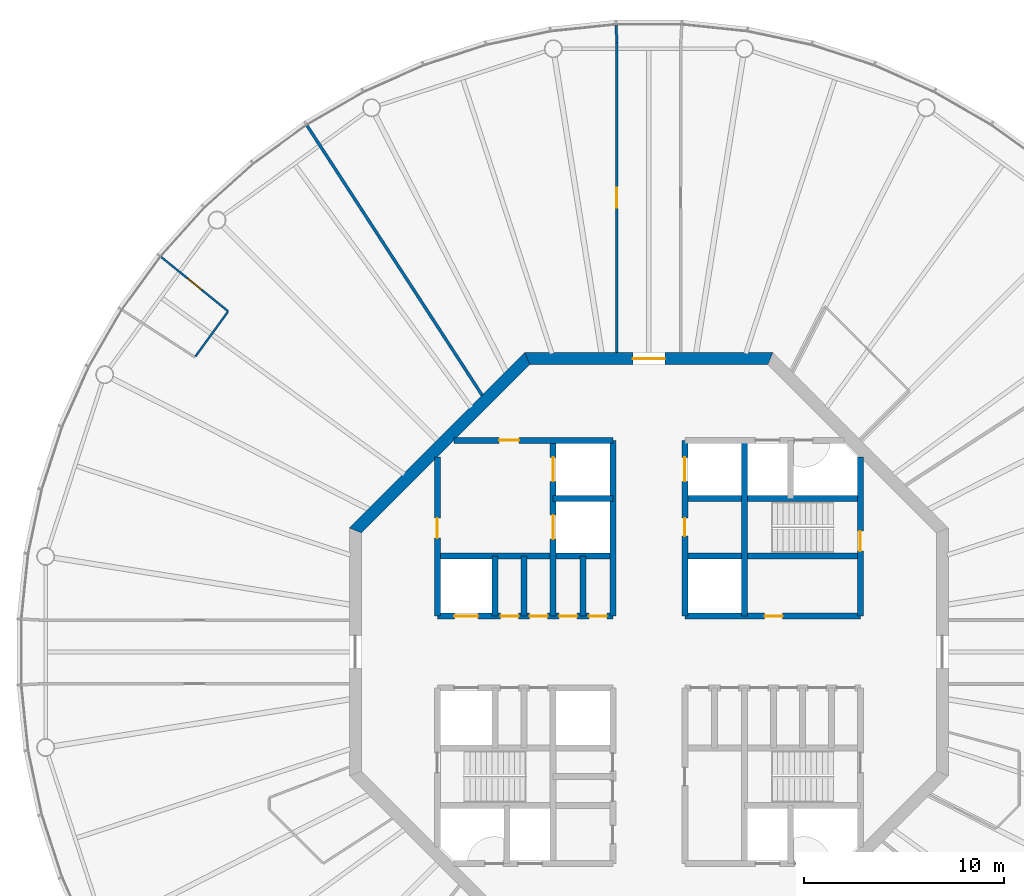
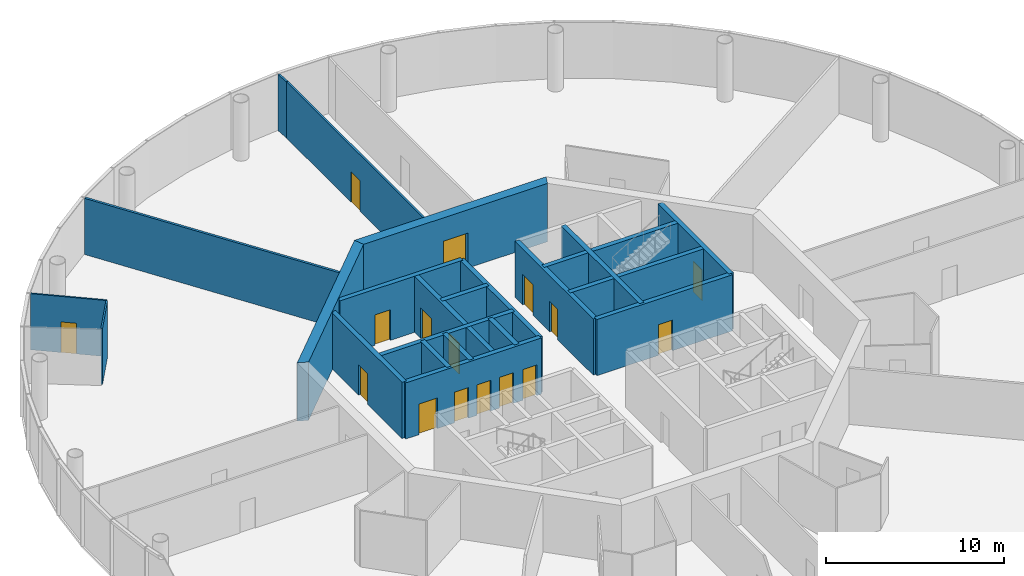
# One storey, part 5 of 13: 23 walls, 16 doors, 16 openings.
"""IFC4 building model written with IfcOpenShell, lengths in metres."""

from ifc_helpers import new_model, si_unit, direction, frame, frame_2d, origin, place, context, subcontext, project, spatial, polyline, rectangle, outline, extrude, material, layer, layer_set, type_object, element, fill, save


model = new_model("IFC4")

# Units and contexts
model_context = context("Model", 3, precision=1e-05, world=origin(), true_north=direction((0.0, 1.0)))
body_context = subcontext(model_context, "Body", "Model", "MODEL_VIEW")
ifc_project = project(units=[si_unit("LENGTHUNIT", "METRE"), si_unit("AREAUNIT", "SQUARE_METRE"), si_unit("VOLUMEUNIT", "CUBIC_METRE"), si_unit("PLANEANGLEUNIT", "RADIAN"), si_unit("MASSUNIT", "GRAM", prefix="KILO")], contexts=[model_context])

# Site, building, storey
site_placement = place(None, origin())
site = spatial("IfcSite", under=ifc_project, at=site_placement, CompositionType="ELEMENT")
building_placement = place(site_placement, origin())
building = spatial("IfcBuilding", under=site, at=building_placement, Name="Entoto Ring Tower", CompositionType="ELEMENT")
storey_placement = place(building_placement, frame((0.0, 0.0, 360.0)))
storey = spatial("IfcBuildingStorey", under=building, at=storey_placement, Name="L83", CompositionType="ELEMENT", Elevation=360.0)

# Wall, opening, door
ifc_material_1 = material(Name="Concrete C40/50", Category="concrete")
ifc_layer_1 = layer(ifc_material_1, 0.300048828125)
ifc_layer_set_1 = layer_set([ifc_layer_1], Name="Concrete C40/50")
wall_type_1 = type_object("IfcWallType", Name="Core enclosure wall 300 mm reinforced concrete", PredefinedType="SOLIDWALL", material=ifc_layer_set_1)
wall_1_placement = place(storey_placement, frame((100.60009765625, 81.800048828125, 0.0), z_axis=(0.0, 0.0, 1.0), x_axis=(0.0, 1.0, 0.0)))
wall_1 = element("IfcWall", 1, at=wall_1_placement, inside=storey, type_object=wall_type_1, Name="wall-L83-002", PredefinedType="SOLIDWALL", context=body_context, shape_type="SweptSolid", body=[
    extrude(rectangle(XDim=7.964599609375, YDim=0.300048828125, at=frame_2d((3.982421875, 0.0))), origin(), (0.0, 0.0, 1.0), 3.85009765625),
])
opening_1_placement = place(wall_1_placement, frame((3.25, 0.0, 0.0)))
opening_1 = element("IfcOpeningElement", 2, at=opening_1_placement, cuts=wall_1, Name="Opening K-29", PredefinedType="OPENING", context=body_context, shape_type="SweptSolid", body=[
    extrude(rectangle(XDim=1.0, YDim=2.10009765625, at=frame_2d((0.5, 1.050048828125))), frame((0.0, 0.16015625, 0.0), z_axis=(0.0, -1.0, 0.0), x_axis=(1.0, 0.0, 0.0)), (0.0, 0.0, 1.0), 0.320068359375),
])
ifc_material_2 = material(Name="Steel door leaf, fire rated", Category="steel")
ifc_layer_2 = layer(ifc_material_2, 0.050048828125)
ifc_layer_set_2 = layer_set([ifc_layer_2], Name="Steel door leaf, fire rated")
door_type_1 = type_object("IfcDoorType", Name="Fire door FD60 1000 x 2100 single leaf", OperationType="NOTDEFINED", PredefinedType="DOOR", material=ifc_layer_set_2)
door_1_placement = place(opening_1_placement, origin())
door_1 = element("IfcDoor", 3, at=door_1_placement, inside=storey, type_object=door_type_1, Name="Door K-29", OperationType="SINGLE_SWING_LEFT", OverallHeight=2.10009765625, OverallWidth=1.0, PredefinedType="DOOR", context=body_context, shape_type="SweptSolid", body=[
    extrude(rectangle(XDim=1.0, YDim=2.10009765625, at=frame_2d((0.5, 1.050048828125))), frame((0.0, 0.02490234375, 0.0), z_axis=(0.0, -1.0, 0.0), x_axis=(1.0, 0.0, 0.0)), (0.0, 0.0, 1.0), 0.050048828125),
])
fill(opening_1, door_1)

# Wall
wall_2_placement = place(storey_placement, frame((94.800048828125, 81.800048828125, 0.0), z_axis=(0.0, 0.0, 1.0), x_axis=(0.0, 1.0, 0.0)))
element("IfcWall", 4, at=wall_2_placement, inside=storey, type_object=wall_type_1, Name="wall-L83-009", PredefinedType="SOLIDWALL", context=body_context, shape_type="SweptSolid", body=[
    extrude(rectangle(XDim=8.800048828125, YDim=0.300048828125, at=frame_2d((4.39990234375, 0.0))), origin(), (0.0, 0.0, 1.0), 3.85009765625),
])

# Wall, openings, doors
wall_3_placement = place(storey_placement, frame((91.800048828125, 81.800048828125, 0.0), z_axis=(0.0, 0.0, 1.0), x_axis=(0.0, 1.0, 0.0)))
wall_3 = element("IfcWall", 5, at=wall_3_placement, inside=storey, type_object=wall_type_1, Name="wall-L83-012", PredefinedType="SOLIDWALL", context=body_context, shape_type="SweptSolid", body=[
    extrude(rectangle(XDim=8.800048828125, YDim=0.300048828125, at=frame_2d((4.39990234375, 0.0))), origin(), (0.0, 0.0, 1.0), 3.85009765625),
])
opening_2_placement = place(wall_3_placement, frame((6.75, 0.0, 0.0)))
opening_2 = element("IfcOpeningElement", 6, at=opening_2_placement, cuts=wall_3, Name="Opening LD", PredefinedType="OPENING", context=body_context, shape_type="SweptSolid", body=[
    extrude(rectangle(XDim=1.199951171875, YDim=2.10009765625, at=frame_2d((0.60009765625, 1.050048828125))), frame((0.0, 0.16015625, 0.0), z_axis=(0.0, -1.0, 0.0), x_axis=(1.0, 0.0, 0.0)), (0.0, 0.0, 1.0), 0.320068359375),
])
opening_3_placement = place(wall_3_placement, frame((4.0, 0.0, 0.0)))
opening_3 = element("IfcOpeningElement", 7, at=opening_3_placement, cuts=wall_3, Name="Opening K-63", PredefinedType="OPENING", context=body_context, shape_type="SweptSolid", body=[
    extrude(rectangle(XDim=0.89990234375, YDim=2.10009765625, at=frame_2d((0.449951171875, 1.050048828125))), frame((0.0, 0.16015625, 0.0), z_axis=(0.0, -1.0, 0.0), x_axis=(1.0, 0.0, 0.0)), (0.0, 0.0, 1.0), 0.320068359375),
])
ifc_material_3 = material(Name="Steel door leaf, fire rated", Category="steel")
ifc_layer_3 = layer(ifc_material_3, 0.050048828125)
ifc_layer_set_3 = layer_set([ifc_layer_3], Name="Steel door leaf, fire rated")
door_type_2 = type_object("IfcDoorType", Name="Core door 900 x 2100 single leaf", OperationType="NOTDEFINED", PredefinedType="DOOR", material=ifc_layer_set_3)
door_2_placement = place(opening_3_placement, frame((0.89990234375, 0.0, 0.0), z_axis=(0.0, 0.0, 1.0), x_axis=(-1.0, 0.0, 0.0)))
door_2 = element("IfcDoor", 8, at=door_2_placement, inside=storey, type_object=door_type_2, Name="Door K-63", OperationType="SINGLE_SWING_RIGHT", OverallHeight=2.10009765625, OverallWidth=0.89990234375, PredefinedType="DOOR", context=body_context, shape_type="SweptSolid", body=[
    extrude(rectangle(XDim=0.89990234375, YDim=2.10009765625, at=frame_2d((0.449951171875, 1.050048828125))), frame((0.0, 0.02490234375, 0.0), z_axis=(0.0, -1.0, 0.0), x_axis=(1.0, 0.0, 0.0)), (0.0, 0.0, 1.0), 0.050048828125),
])
fill(opening_3, door_2)
ifc_material_4 = material(Name="Steel and glass door leaf", Category="steel")
ifc_layer_4 = layer(ifc_material_4, 0.050048828125)
ifc_layer_set_4 = layer_set([ifc_layer_4], Name="Steel and glass door leaf")
door_type_3 = type_object("IfcDoorType", Name="Landing door 1200 x 2100 sliding", OperationType="DOUBLE_DOOR_SLIDING", PredefinedType="DOOR", material=ifc_layer_set_4)
door_3_placement = place(opening_2_placement, origin())
door_3 = element("IfcDoor", 9, at=door_3_placement, inside=storey, type_object=door_type_3, Name="Landing door SH3", OperationType="SLIDING_TO_RIGHT", OverallHeight=2.10009765625, OverallWidth=1.199951171875, PredefinedType="DOOR", context=body_context, shape_type="SweptSolid", body=[
    extrude(rectangle(XDim=1.199951171875, YDim=2.10009765625, at=frame_2d((0.60009765625, 1.050048828125))), frame((0.0, 0.02490234375, 0.0), z_axis=(0.0, -1.0, 0.0), x_axis=(1.0, 0.0, 0.0)), (0.0, 0.0, 1.0), 0.050048828125),
])
fill(opening_2, door_3)

# Walls
wall_4_placement = place(storey_placement, frame((88.199951171875, 81.800048828125, 0.0), z_axis=(0.0, 0.0, 1.0), x_axis=(0.0, 1.0, 0.0)))
element("IfcWall", 10, at=wall_4_placement, inside=storey, type_object=wall_type_1, Name="wall-L83-014", PredefinedType="SOLIDWALL", context=body_context, shape_type="SweptSolid", body=[
    extrude(rectangle(XDim=8.800048828125, YDim=0.300048828125, at=frame_2d((4.39990234375, 0.0))), origin(), (0.0, 0.0, 1.0), 3.85009765625),
])
wall_5_placement = place(storey_placement, frame((86.699951171875, 81.800048828125, 0.0), z_axis=(0.0, 0.0, 1.0), x_axis=(0.0, 1.0, 0.0)))
element("IfcWall", 11, at=wall_5_placement, inside=storey, type_object=wall_type_1, Name="wall-L83-015", PredefinedType="SOLIDWALL", context=body_context, shape_type="SweptSolid", body=[
    extrude(rectangle(XDim=3.0, YDim=0.300048828125, at=frame_2d((1.5, 0.0))), origin(), (0.0, 0.0, 1.0), 3.85009765625),
])

# Wall, openings, doors
wall_6_placement = place(storey_placement, frame((85.199951171875, 81.800048828125, 0.0), z_axis=(0.0, 0.0, 1.0), x_axis=(0.0, 1.0, 0.0)))
wall_6 = element("IfcWall", 12, at=wall_6_placement, inside=storey, type_object=wall_type_1, Name="wall-L83-017", PredefinedType="SOLIDWALL", context=body_context, shape_type="SweptSolid", body=[
    extrude(rectangle(XDim=8.800048828125, YDim=0.300048828125, at=frame_2d((4.39990234375, 0.0))), origin(), (0.0, 0.0, 1.0), 3.85009765625),
])
opening_4_placement = place(wall_6_placement, frame((3.85009765625, 0.0, 0.0)))
opening_4 = element("IfcOpeningElement", 13, at=opening_4_placement, cuts=wall_6, Name="Opening LD", PredefinedType="OPENING", context=body_context, shape_type="SweptSolid", body=[
    extrude(rectangle(XDim=1.199951171875, YDim=2.10009765625, at=frame_2d((0.60009765625, 1.050048828125))), frame((0.0, 0.16015625, 0.0), z_axis=(0.0, -1.0, 0.0), x_axis=(1.0, 0.0, 0.0)), (0.0, 0.0, 1.0), 0.320068359375),
])
opening_5_placement = place(wall_6_placement, frame((6.75, 0.0, 0.0)))
opening_5 = element("IfcOpeningElement", 14, at=opening_5_placement, cuts=wall_6, Name="Opening LD", PredefinedType="OPENING", context=body_context, shape_type="SweptSolid", body=[
    extrude(rectangle(XDim=1.199951171875, YDim=2.10009765625, at=frame_2d((0.60009765625, 1.050048828125))), frame((0.0, 0.16015625, 0.0), z_axis=(0.0, -1.0, 0.0), x_axis=(1.0, 0.0, 0.0)), (0.0, 0.0, 1.0), 0.320068359375),
])
door_4_placement = place(opening_4_placement, origin())
door_4 = element("IfcDoor", 15, at=door_4_placement, inside=storey, type_object=door_type_3, Name="Landing door FF1", OperationType="SLIDING_TO_RIGHT", OverallHeight=2.10009765625, OverallWidth=1.199951171875, PredefinedType="DOOR", context=body_context, shape_type="SweptSolid", body=[
    extrude(rectangle(XDim=1.199951171875, YDim=2.10009765625, at=frame_2d((0.60009765625, 1.050048828125))), frame((0.0, 0.02490234375, 0.0), z_axis=(0.0, -1.0, 0.0), x_axis=(1.0, 0.0, 0.0)), (0.0, 0.0, 1.0), 0.050048828125),
])
fill(opening_4, door_4)
door_5_placement = place(opening_5_placement, origin())
door_5 = element("IfcDoor", 16, at=door_5_placement, inside=storey, type_object=door_type_3, Name="Landing door FF2", OperationType="SLIDING_TO_RIGHT", OverallHeight=2.10009765625, OverallWidth=1.199951171875, PredefinedType="DOOR", context=body_context, shape_type="SweptSolid", body=[
    extrude(rectangle(XDim=1.199951171875, YDim=2.10009765625, at=frame_2d((0.60009765625, 1.050048828125))), frame((0.0, 0.02490234375, 0.0), z_axis=(0.0, -1.0, 0.0), x_axis=(1.0, 0.0, 0.0)), (0.0, 0.0, 1.0), 0.050048828125),
])
fill(opening_5, door_5)

# Walls
for number, where, z_axis, x_axis, name in (
    (17, (83.75, 81.800048828125, 0.0), (0.0, 0.0, 1.0), (0.0, 1.0, 0.0), "wall-L83-019"),
    (18, (82.300048828125, 81.800048828125, 0.0), (0.0, 0.0, 1.0), (0.0, 1.0, 0.0), "wall-L83-022"),
):
    element("IfcWall", number, at=place(storey_placement, frame(where, z_axis=z_axis, x_axis=x_axis)), inside=storey, type_object=wall_type_1, Name=name, PredefinedType="SOLIDWALL", context=body_context, shape_type="SweptSolid", body=[
        extrude(rectangle(XDim=3.0, YDim=0.300048828125, at=frame_2d((1.5, 0.0))), origin(), (0.0, 0.0, 1.0), 3.85009765625),
    ])

# Wall, opening, door
wall_7_placement = place(storey_placement, frame((79.39990234375, 81.800048828125, 0.0), z_axis=(0.0, 0.0, 1.0), x_axis=(0.0, 1.0, 0.0)))
wall_7 = element("IfcWall", 19, at=wall_7_placement, inside=storey, type_object=wall_type_1, Name="wall-L83-024", PredefinedType="SOLIDWALL", context=body_context, shape_type="SweptSolid", body=[
    extrude(rectangle(XDim=7.964599609375, YDim=0.300048828125, at=frame_2d((3.982421875, 0.0))), origin(), (0.0, 0.0, 1.0), 3.85009765625),
])
opening_6_placement = place(wall_7_placement, frame((3.89990234375, 0.0, 0.0)))
opening_6 = element("IfcOpeningElement", 20, at=opening_6_placement, cuts=wall_7, Name="Opening K-35", PredefinedType="OPENING", context=body_context, shape_type="SweptSolid", body=[
    extrude(rectangle(XDim=1.0, YDim=2.10009765625, at=frame_2d((0.5, 1.050048828125))), frame((0.0, 0.16015625, 0.0), z_axis=(0.0, -1.0, 0.0), x_axis=(1.0, 0.0, 0.0)), (0.0, 0.0, 1.0), 0.320068359375),
])
door_6_placement = place(opening_6_placement, frame((1.0, 0.0, 0.0), z_axis=(0.0, 0.0, 1.0), x_axis=(-1.0, 0.0, 0.0)))
door_6 = element("IfcDoor", 21, at=door_6_placement, inside=storey, type_object=door_type_1, Name="Door K-35", OperationType="SINGLE_SWING_RIGHT", OverallHeight=2.10009765625, OverallWidth=1.0, PredefinedType="DOOR", context=body_context, shape_type="SweptSolid", body=[
    extrude(rectangle(XDim=1.0, YDim=2.10009765625, at=frame_2d((0.5, 1.050048828125))), frame((0.0, 0.02490234375, 0.0), z_axis=(0.0, -1.0, 0.0), x_axis=(1.0, 0.0, 0.0)), (0.0, 0.0, 1.0), 0.050048828125),
])
fill(opening_6, door_6)

# Wall, openings, doors
wall_8_placement = place(storey_placement, frame((79.39990234375, 81.800048828125, 0.0), z_axis=(0.0, 0.0, 1.0), x_axis=(1.0, 0.0, 0.0)))
wall_8 = element("IfcWall", 22, at=wall_8_placement, inside=storey, type_object=wall_type_1, Name="wall-L83-034", PredefinedType="SOLIDWALL", context=body_context, shape_type="SweptSolid", body=[
    extrude(rectangle(XDim=8.800048828125, YDim=0.300048828125, at=frame_2d((4.39990234375, 0.0))), origin(), (0.0, 0.0, 1.0), 3.85009765625),
])
opening_7_placement = place(wall_8_placement, frame((0.85009765625, 0.0, 0.0)))
opening_7 = element("IfcOpeningElement", 23, at=opening_7_placement, cuts=wall_8, Name="Opening LD", PredefinedType="OPENING", context=body_context, shape_type="SweptSolid", body=[
    extrude(rectangle(XDim=1.199951171875, YDim=2.10009765625, at=frame_2d((0.60009765625, 1.050048828125))), frame((0.0, 0.16015625, 0.0), z_axis=(0.0, -1.0, 0.0), x_axis=(1.0, 0.0, 0.0)), (0.0, 0.0, 1.0), 0.320068359375),
])
opening_8_placement = place(wall_8_placement, frame((3.175048828125, 0.0, 0.0)))
opening_8 = element("IfcOpeningElement", 24, at=opening_8_placement, cuts=wall_8, Name="Opening K-12", PredefinedType="OPENING", context=body_context, shape_type="SweptSolid", body=[
    extrude(rectangle(XDim=0.89990234375, YDim=2.10009765625, at=frame_2d((0.449951171875, 1.050048828125))), frame((0.0, 0.16015625, 0.0), z_axis=(0.0, -1.0, 0.0), x_axis=(1.0, 0.0, 0.0)), (0.0, 0.0, 1.0), 0.320068359375),
])
opening_9_placement = place(wall_8_placement, frame((4.625, 0.0, 0.0)))
opening_9 = element("IfcOpeningElement", 25, at=opening_9_placement, cuts=wall_8, Name="Opening K-46", PredefinedType="OPENING", context=body_context, shape_type="SweptSolid", body=[
    extrude(rectangle(XDim=0.89990234375, YDim=2.10009765625, at=frame_2d((0.449951171875, 1.050048828125))), frame((0.0, 0.16015625, 0.0), z_axis=(0.0, -1.0, 0.0), x_axis=(1.0, 0.0, 0.0)), (0.0, 0.0, 1.0), 0.320068359375),
])
opening_10_placement = place(wall_8_placement, frame((6.10009765625, 0.0, 0.0)))
opening_10 = element("IfcOpeningElement", 26, at=opening_10_placement, cuts=wall_8, Name="Opening K-25", PredefinedType="OPENING", context=body_context, shape_type="SweptSolid", body=[
    extrude(rectangle(XDim=0.89990234375, YDim=2.10009765625, at=frame_2d((0.449951171875, 1.050048828125))), frame((0.0, 0.16015625, 0.0), z_axis=(0.0, -1.0, 0.0), x_axis=(1.0, 0.0, 0.0)), (0.0, 0.0, 1.0), 0.320068359375),
])
opening_11_placement = place(wall_8_placement, frame((7.60009765625, 0.0, 0.0)))
opening_11 = element("IfcOpeningElement", 27, at=opening_11_placement, cuts=wall_8, Name="Opening K-77", PredefinedType="OPENING", context=body_context, shape_type="SweptSolid", body=[
    extrude(rectangle(XDim=0.89990234375, YDim=2.10009765625, at=frame_2d((0.449951171875, 1.050048828125))), frame((0.0, 0.16015625, 0.0), z_axis=(0.0, -1.0, 0.0), x_axis=(1.0, 0.0, 0.0)), (0.0, 0.0, 1.0), 0.320068359375),
])
door_7_placement = place(opening_8_placement, origin())
door_7 = element("IfcDoor", 28, at=door_7_placement, inside=storey, type_object=door_type_2, Name="Door K-12", OperationType="SINGLE_SWING_RIGHT", OverallHeight=2.10009765625, OverallWidth=0.89990234375, PredefinedType="DOOR", context=body_context, shape_type="SweptSolid", body=[
    extrude(rectangle(XDim=0.89990234375, YDim=2.10009765625, at=frame_2d((0.449951171875, 1.050048828125))), frame((0.0, 0.02490234375, 0.0), z_axis=(0.0, -1.0, 0.0), x_axis=(1.0, 0.0, 0.0)), (0.0, 0.0, 1.0), 0.050048828125),
])
fill(opening_8, door_7)
door_8_placement = place(opening_9_placement, origin())
door_8 = element("IfcDoor", 29, at=door_8_placement, inside=storey, type_object=door_type_2, Name="Door K-46", OperationType="SINGLE_SWING_RIGHT", OverallHeight=2.10009765625, OverallWidth=0.89990234375, PredefinedType="DOOR", context=body_context, shape_type="SweptSolid", body=[
    extrude(rectangle(XDim=0.89990234375, YDim=2.10009765625, at=frame_2d((0.449951171875, 1.050048828125))), frame((0.0, 0.02490234375, 0.0), z_axis=(0.0, -1.0, 0.0), x_axis=(1.0, 0.0, 0.0)), (0.0, 0.0, 1.0), 0.050048828125),
])
fill(opening_9, door_8)
door_9_placement = place(opening_10_placement, origin())
door_9 = element("IfcDoor", 30, at=door_9_placement, inside=storey, type_object=door_type_2, Name="Door K-25", OperationType="SINGLE_SWING_LEFT", OverallHeight=2.10009765625, OverallWidth=0.89990234375, PredefinedType="DOOR", context=body_context, shape_type="SweptSolid", body=[
    extrude(rectangle(XDim=0.89990234375, YDim=2.10009765625, at=frame_2d((0.449951171875, 1.050048828125))), frame((0.0, 0.02490234375, 0.0), z_axis=(0.0, -1.0, 0.0), x_axis=(1.0, 0.0, 0.0)), (0.0, 0.0, 1.0), 0.050048828125),
])
fill(opening_10, door_9)
door_10_placement = place(opening_11_placement, origin())
door_10 = element("IfcDoor", 31, at=door_10_placement, inside=storey, type_object=door_type_2, Name="Door K-77", OperationType="SINGLE_SWING_LEFT", OverallHeight=2.10009765625, OverallWidth=0.89990234375, PredefinedType="DOOR", context=body_context, shape_type="SweptSolid", body=[
    extrude(rectangle(XDim=0.89990234375, YDim=2.10009765625, at=frame_2d((0.449951171875, 1.050048828125))), frame((0.0, 0.02490234375, 0.0), z_axis=(0.0, -1.0, 0.0), x_axis=(1.0, 0.0, 0.0)), (0.0, 0.0, 1.0), 0.050048828125),
])
fill(opening_11, door_10)
door_11_placement = place(opening_7_placement, origin())
door_11 = element("IfcDoor", 32, at=door_11_placement, inside=storey, type_object=door_type_3, Name="Landing door SH1", OperationType="SLIDING_TO_RIGHT", OverallHeight=2.10009765625, OverallWidth=1.199951171875, PredefinedType="DOOR", context=body_context, shape_type="SweptSolid", body=[
    extrude(rectangle(XDim=1.199951171875, YDim=2.10009765625, at=frame_2d((0.60009765625, 1.050048828125))), frame((0.0, 0.02490234375, 0.0), z_axis=(0.0, -1.0, 0.0), x_axis=(1.0, 0.0, 0.0)), (0.0, 0.0, 1.0), 0.050048828125),
])
fill(opening_7, door_11)

# Wall, opening, door
wall_9_placement = place(storey_placement, frame((91.800048828125, 81.800048828125, 0.0), z_axis=(0.0, 0.0, 1.0), x_axis=(1.0, 0.0, 0.0)))
wall_9 = element("IfcWall", 33, at=wall_9_placement, inside=storey, type_object=wall_type_1, Name="wall-L83-035", PredefinedType="SOLIDWALL", context=body_context, shape_type="SweptSolid", body=[
    extrude(rectangle(XDim=8.800048828125, YDim=0.300048828125, at=frame_2d((4.39990234375, 0.0))), origin(), (0.0, 0.0, 1.0), 3.85009765625),
])
opening_12_placement = place(wall_9_placement, frame((4.0, 0.0, 0.0)))
opening_12 = element("IfcOpeningElement", 34, at=opening_12_placement, cuts=wall_9, Name="Opening K-11", PredefinedType="OPENING", context=body_context, shape_type="SweptSolid", body=[
    extrude(rectangle(XDim=0.89990234375, YDim=2.10009765625, at=frame_2d((0.449951171875, 1.050048828125))), frame((0.0, 0.16015625, 0.0), z_axis=(0.0, -1.0, 0.0), x_axis=(1.0, 0.0, 0.0)), (0.0, 0.0, 1.0), 0.320068359375),
])
door_12_placement = place(opening_12_placement, origin())
door_12 = element("IfcDoor", 35, at=door_12_placement, inside=storey, type_object=door_type_2, Name="Door K-11", OperationType="SINGLE_SWING_LEFT", OverallHeight=2.10009765625, OverallWidth=0.89990234375, PredefinedType="DOOR", context=body_context, shape_type="SweptSolid", body=[
    extrude(rectangle(XDim=0.89990234375, YDim=2.10009765625, at=frame_2d((0.449951171875, 1.050048828125))), frame((0.0, 0.02490234375, 0.0), z_axis=(0.0, -1.0, 0.0), x_axis=(1.0, 0.0, 0.0)), (0.0, 0.0, 1.0), 0.050048828125),
])
fill(opening_12, door_12)

# Walls
for number, where, z_axis, x_axis, name in (
    (36, (79.39990234375, 84.800048828125, 0.0), (0.0, 0.0, 1.0), (1.0, 0.0, 0.0), "wall-L83-036"),
    (37, (91.800048828125, 84.800048828125, 0.0), (0.0, 0.0, 1.0), (1.0, 0.0, 0.0), "wall-L83-037"),
):
    element("IfcWall", number, at=place(storey_placement, frame(where, z_axis=z_axis, x_axis=x_axis)), inside=storey, type_object=wall_type_1, Name=name, PredefinedType="SOLIDWALL", context=body_context, shape_type="SweptSolid", body=[
        extrude(rectangle(XDim=8.800048828125, YDim=0.300048828125, at=frame_2d((4.39990234375, 0.0))), origin(), (0.0, 0.0, 1.0), 3.85009765625),
    ])
wall_10_placement = place(storey_placement, frame((85.199951171875, 87.699951171875, 0.0), z_axis=(0.0, 0.0, 1.0), x_axis=(1.0, 0.0, 0.0)))
element("IfcWall", 38, at=wall_10_placement, inside=storey, type_object=wall_type_1, Name="wall-L83-038", PredefinedType="SOLIDWALL", context=body_context, shape_type="SweptSolid", body=[
    extrude(rectangle(XDim=3.0, YDim=0.300048828125, at=frame_2d((1.5, 0.0))), origin(), (0.0, 0.0, 1.0), 3.85009765625),
])
wall_11_placement = place(storey_placement, frame((91.800048828125, 87.699951171875, 0.0), z_axis=(0.0, 0.0, 1.0), x_axis=(1.0, 0.0, 0.0)))
element("IfcWall", 39, at=wall_11_placement, inside=storey, type_object=wall_type_1, Name="wall-L83-039", PredefinedType="SOLIDWALL", context=body_context, shape_type="SweptSolid", body=[
    extrude(rectangle(XDim=8.800048828125, YDim=0.300048828125, at=frame_2d((4.39990234375, 0.0))), origin(), (0.0, 0.0, 1.0), 3.85009765625),
])

# Wall, opening, door
wall_12_placement = place(storey_placement, frame((80.2353515625, 90.60009765625, 0.0), z_axis=(0.0, 0.0, 1.0), x_axis=(1.0, 0.0, 0.0)))
wall_12 = element("IfcWall", 40, at=wall_12_placement, inside=storey, type_object=wall_type_1, Name="wall-L83-040", PredefinedType="SOLIDWALL", context=body_context, shape_type="SweptSolid", body=[
    extrude(rectangle(XDim=7.964599609375, YDim=0.300048828125, at=frame_2d((3.982421875, 0.0))), origin(), (0.0, 0.0, 1.0), 3.85009765625),
])
opening_13_placement = place(wall_12_placement, frame((2.2646484375, 0.0, 0.0)))
opening_13 = element("IfcOpeningElement", 41, at=opening_13_placement, cuts=wall_12, Name="Opening K-36", PredefinedType="OPENING", context=body_context, shape_type="SweptSolid", body=[
    extrude(rectangle(XDim=1.0, YDim=2.10009765625, at=frame_2d((0.5, 1.050048828125))), frame((0.0, 0.16015625, 0.0), z_axis=(0.0, -1.0, 0.0), x_axis=(1.0, 0.0, 0.0)), (0.0, 0.0, 1.0), 0.320068359375),
])
door_13_placement = place(opening_13_placement, frame((1.0, 0.0, 0.0), z_axis=(0.0, 0.0, 1.0), x_axis=(-1.0, 0.0, 0.0)))
door_13 = element("IfcDoor", 42, at=door_13_placement, inside=storey, type_object=door_type_1, Name="Door K-36", OperationType="SINGLE_SWING_LEFT", OverallHeight=2.10009765625, OverallWidth=1.0, PredefinedType="DOOR", context=body_context, shape_type="SweptSolid", body=[
    extrude(rectangle(XDim=1.0, YDim=2.10009765625, at=frame_2d((0.5, 1.050048828125))), frame((0.0, 0.02490234375, 0.0), z_axis=(0.0, -1.0, 0.0), x_axis=(1.0, 0.0, 0.0)), (0.0, 0.0, 1.0), 0.050048828125),
])
fill(opening_13, door_13)

ifc_material_5 = material(Name="Concrete C40/50", Category="concrete")
ifc_layer_5 = layer(ifc_material_5, 0.60009765625)
ifc_layer_set_5 = layer_set([ifc_layer_5], Name="Concrete C40/50")
wall_type_2 = type_object("IfcWallType", Name="Core shear wall 600 mm reinforced concrete C40/50", PredefinedType="SHEAR", material=ifc_layer_set_5)
wall_13_placement = place(storey_placement, frame((96.0888671875, 94.699951171875, 0.0), z_axis=(0.0, 0.0, 1.0), x_axis=(-1.0, 0.0, 0.0)))
wall_13 = element("IfcWall", 43, at=wall_13_placement, inside=storey, type_object=wall_type_2, Name="wall-L83-core-2", PredefinedType="SHEAR", context=body_context, shape_type="SweptSolid", body=[
    extrude(outline(polyline([(-0.124267578125, -0.300048828125), (12.302001953125, -0.300048828125), (12.053466796875, 0.300048828125), (0.124267578125, 0.300048828125), (-0.124267578125, -0.300048828125)])), origin(), (0.0, 0.0, 1.0), 4.0),
])
opening_14_placement = place(wall_13_placement, frame((5.288818359375, 0.0, 0.0)))
opening_14 = element("IfcOpeningElement", 44, at=opening_14_placement, cuts=wall_13, Name="Opening K-02", PredefinedType="OPENING", context=body_context, shape_type="SweptSolid", body=[
    extrude(rectangle(XDim=1.60009765625, YDim=2.39990234375, at=frame_2d((0.800048828125, 1.199951171875))), frame((0.0, 0.31005859375, 0.0), z_axis=(0.0, -1.0, 0.0), x_axis=(1.0, 0.0, 0.0)), (0.0, 0.0, 1.0), 0.6201171875),
])
ifc_material_6 = material(Name="Steel door leaf, fire rated", Category="steel")
ifc_layer_6 = layer(ifc_material_6, 0.050048828125)
ifc_layer_set_6 = layer_set([ifc_layer_6], Name="Steel door leaf, fire rated")
door_type_4 = type_object("IfcDoorType", Name="Entrance door FD60 1600 x 2400 double leaf", OperationType="DOUBLE_DOOR_SINGLE_SWING", PredefinedType="DOOR", material=ifc_layer_set_6)
door_14_placement = place(opening_14_placement, origin())
door_14 = element("IfcDoor", 45, at=door_14_placement, inside=storey, type_object=door_type_4, Name="Entrance door K-02", OperationType="DOUBLE_DOOR_SINGLE_SWING", OverallHeight=2.39990234375, OverallWidth=1.60009765625, PredefinedType="DOOR", context=body_context, shape_type="SweptSolid", body=[
    extrude(rectangle(XDim=1.60009765625, YDim=2.39990234375, at=frame_2d((0.800048828125, 1.199951171875))), frame((0.0, 0.02490234375, 0.0), z_axis=(0.0, -1.0, 0.0), x_axis=(1.0, 0.0, 0.0)), (0.0, 0.0, 1.0), 0.050048828125),
])
fill(opening_14, door_14)

# Wall
wall_14_placement = place(storey_placement, frame((83.9111328125, 94.699951171875, 0.0), z_axis=(0.0, 0.0, 1.0), x_axis=(-0.707106781187, -0.707106781187, 0.0)))
element("IfcWall", 46, at=wall_14_placement, inside=storey, type_object=wall_type_2, Name="wall-L83-core-3", PredefinedType="SHEAR", context=body_context, shape_type="SweptSolid", body=[
    extrude(outline(polyline([(-0.124267578125, -0.300048828125), (12.30224609375, -0.300048828125), (12.0537109375, 0.300048828125), (0.124267578125, 0.300048828125), (-0.124267578125, -0.300048828125)])), origin(), (0.0, 0.0, 1.0), 4.0),
])

# Wall, opening, door
ifc_material_7 = material(Name="Fire-resisting plasterboard on steel studs", Category="steel")
ifc_layer_7 = layer(ifc_material_7, 0.125)
ifc_layer_set_7 = layer_set([ifc_layer_7], Name="Fire-resisting plasterboard on steel studs")
wall_type_3 = type_object("IfcWallType", Name="Corridor wall 125 mm one-hour plasterboard on steel studs", PredefinedType="PARTITIONING", material=ifc_layer_set_7)
wall_15_placement = place(storey_placement, frame((88.39990234375, 95.0, 0.0), z_axis=(0.0, 0.0, 1.0), x_axis=(0.0, 1.0, 0.0)))
wall_15 = element("IfcWall", 47, at=wall_15_placement, inside=storey, type_object=wall_type_3, Name="partition-L83-004", PredefinedType="PARTITIONING", context=body_context, shape_type="SweptSolid", body=[
    extrude(rectangle(XDim=15.52978515625, YDim=0.125, at=frame_2d((7.764892578125, 0.0))), origin(), (0.0, 0.0, 1.0), 3.85009765625),
])
opening_15_placement = place(wall_15_placement, frame((7.264892578125, 0.0, 0.0)))
opening_15 = element("IfcOpeningElement", 48, at=opening_15_placement, cuts=wall_15, Name="Opening A36-D04", PredefinedType="OPENING", context=body_context, shape_type="SweptSolid", body=[
    extrude(rectangle(XDim=1.0, YDim=2.10009765625, at=frame_2d((0.5, 1.050048828125))), frame((0.0, 0.072509765625, 0.0), z_axis=(0.0, -1.0, 0.0), x_axis=(1.0, 0.0, 0.0)), (0.0, 0.0, 1.0), 0.14501953125),
])
ifc_material_8 = material(Name="Fire-resisting timber door set", Category="wood")
door_type_5 = type_object("IfcDoorType", Name="Door 1000 x 2100 single leaf FD30S fire door", OperationType="NOTDEFINED", PredefinedType="DOOR", material=ifc_material_8)
door_15_placement = place(opening_15_placement, origin())
door_15 = element("IfcDoor", 49, at=door_15_placement, inside=storey, type_object=door_type_5, Name="Door A36-D04", OperationType="SINGLE_SWING_LEFT", OverallHeight=2.10009765625, OverallWidth=1.0, PredefinedType="DOOR", context=body_context, shape_type="SweptSolid", body=[
    extrude(rectangle(XDim=1.0, YDim=2.10009765625, at=frame_2d((0.5, 1.050048828125))), frame((0.0, 0.02490234375, 0.0), z_axis=(0.0, -1.0, 0.0), x_axis=(1.0, 0.0, 0.0)), (0.0, 0.0, 1.0), 0.050048828125),
])
fill(opening_15, door_15)

# Wall
wall_16_placement = place(storey_placement, frame((88.39990234375, 110.533203125, 0.0), z_axis=(0.0, 0.0, 1.0), x_axis=(-0.052499574911, 0.998620946423, 0.0)))
element("IfcWall", 50, at=wall_16_placement, inside=storey, type_object=wall_type_3, Name="partition-L83-012", PredefinedType="PARTITIONING", context=body_context, shape_type="SweptSolid", body=[
    extrude(rectangle(XDim=0.864990234375, YDim=0.125, at=frame_2d((0.4326171875, 0.0))), origin(), (0.0, 0.0, 1.0), 3.85009765625),
])

# Wall, opening, door
ifc_material_9 = material(Name="Plasterboard on steel studs", Category="steel")
ifc_layer_8 = layer(ifc_material_9, 0.10009765625)
ifc_layer_set_8 = layer_set([ifc_layer_8], Name="Plasterboard on steel studs")
wall_type_4 = type_object("IfcWallType", Name="Partition 100 mm plasterboard on steel studs", PredefinedType="PARTITIONING", material=ifc_layer_set_8)
wall_17_placement = place(storey_placement, frame((68.923828125, 97.067138671875, 0.0), z_axis=(0.0, 0.0, 1.0), x_axis=(-0.777150107882, 0.629315270606, 0.0)))
wall_17 = element("IfcWall", 51, at=wall_17_placement, inside=storey, type_object=wall_type_4, Name="partition-L83-026", PredefinedType="PARTITIONING", context=body_context, shape_type="SweptSolid", body=[
    extrude(rectangle(XDim=4.320068359375, YDim=0.10009765625, at=frame_2d((2.16015625, 0.0))), origin(), (0.0, 0.0, 1.0), 3.85009765625),
])
opening_16_placement = place(wall_17_placement, frame((1.7099609375, 0.0, 0.0)))
opening_16 = element("IfcOpeningElement", 52, at=opening_16_placement, cuts=wall_17, Name="Opening A36-D06", PredefinedType="OPENING", context=body_context, shape_type="SweptSolid", body=[
    extrude(rectangle(XDim=0.89990234375, YDim=2.10009765625, at=frame_2d((0.449951171875, 1.050048828125))), frame((0.0, 0.06005859375, 0.0), z_axis=(0.0, -1.0, 0.0), x_axis=(1.0, 0.0, 0.0)), (0.0, 0.0, 1.0), 0.1201171875),
])
ifc_material_10 = material(Name="Veneered timber door leaf in timber frame", Category="wood")
door_type_6 = type_object("IfcDoorType", Name="Door 900 x 2100 single leaf timber veneer", OperationType="NOTDEFINED", PredefinedType="DOOR", material=ifc_material_10)
door_16_placement = place(opening_16_placement, origin())
door_16 = element("IfcDoor", 53, at=door_16_placement, inside=storey, type_object=door_type_6, Name="Door A36-D06", OperationType="SINGLE_SWING_RIGHT", OverallHeight=2.10009765625, OverallWidth=0.89990234375, PredefinedType="DOOR", context=body_context, shape_type="SweptSolid", body=[
    extrude(rectangle(XDim=0.89990234375, YDim=2.10009765625, at=frame_2d((0.449951171875, 1.050048828125))), frame((0.0, 0.02490234375, 0.0), z_axis=(0.0, -1.0, 0.0), x_axis=(1.0, 0.0, 0.0)), (0.0, 0.0, 1.0), 0.050048828125),
])
fill(opening_16, door_16)

# Walls
wall_18_placement = place(storey_placement, frame((67.28466796875, 94.81103515625, 0.0), z_axis=(0.0, 0.0, 1.0), x_axis=(0.587779419008, 0.809021232472, 0.0)))
element("IfcWall", 54, at=wall_18_placement, inside=storey, type_object=wall_type_4, Name="partition-L83-035", PredefinedType="PARTITIONING", context=body_context, shape_type="SweptSolid", body=[
    extrude(rectangle(XDim=2.73876953125, YDim=0.10009765625, at=frame_2d((1.369384765625, 0.0))), origin(), (0.0, 0.0, 1.0), 3.85009765625),
])
ifc_material_11 = material(Name="Fire-resisting acoustic plasterboard on steel studs", Category="steel")
ifc_layer_9 = layer(ifc_material_11, 0.14990234375)
ifc_layer_set_9 = layer_set([ifc_layer_9], Name="Fire-resisting acoustic plasterboard on steel studs")
wall_type_5 = type_object("IfcWallType", Name="Party wall 150 mm one-hour acoustic plasterboard on steel studs", PredefinedType="PARTITIONING", material=ifc_layer_set_9)
wall_19_placement = place(storey_placement, frame((81.64794921875, 92.861083984375, 0.0), z_axis=(0.0, 0.0, 1.0), x_axis=(-0.54464089364, 0.838669360937, 0.0)))
element("IfcWall", 55, at=wall_19_placement, inside=storey, type_object=wall_type_5, Name="partition-L83-019", PredefinedType="PARTITIONING", context=body_context, shape_type="SweptSolid", body=[
    extrude(rectangle(XDim=16.10498046875, YDim=0.14990234375, at=frame_2d((8.052490234375, 0.0))), origin(), (0.0, 0.0, 1.0), 3.85009765625),
])

save(model, "model.ifc")
